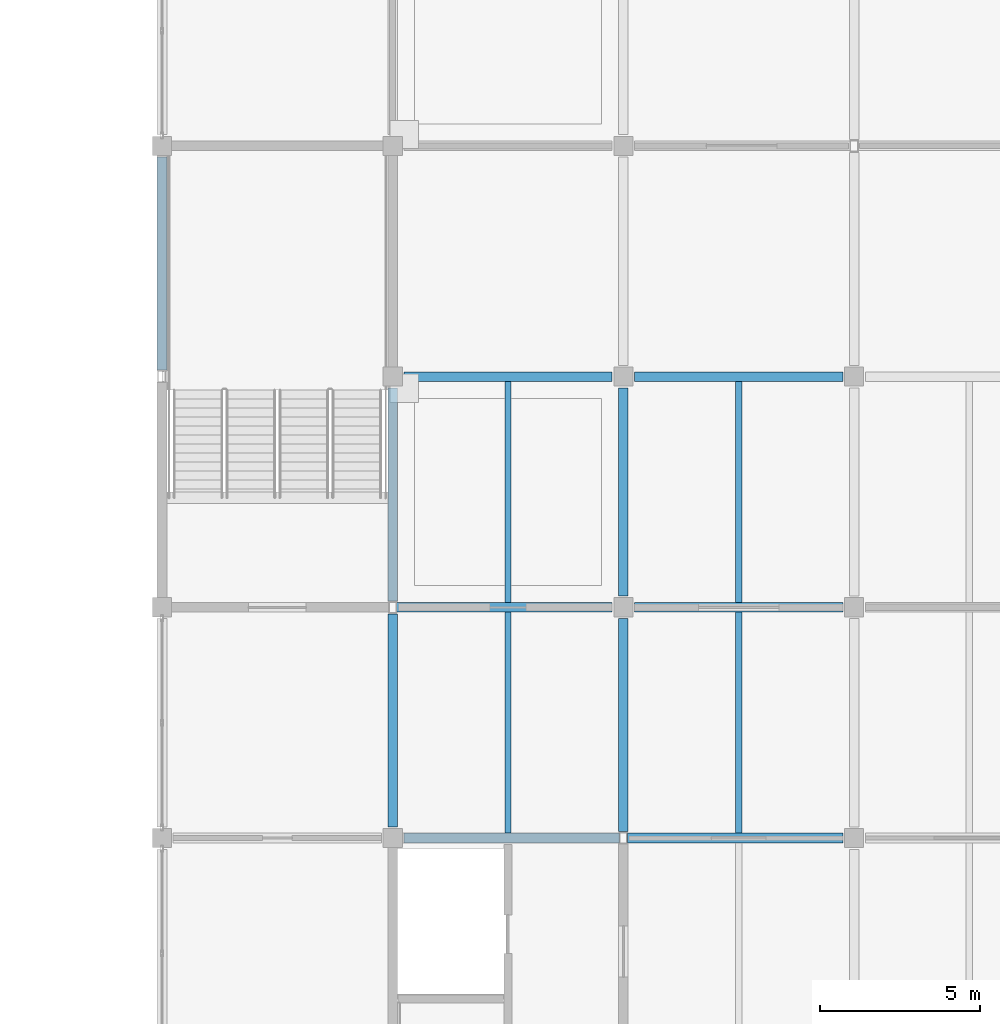
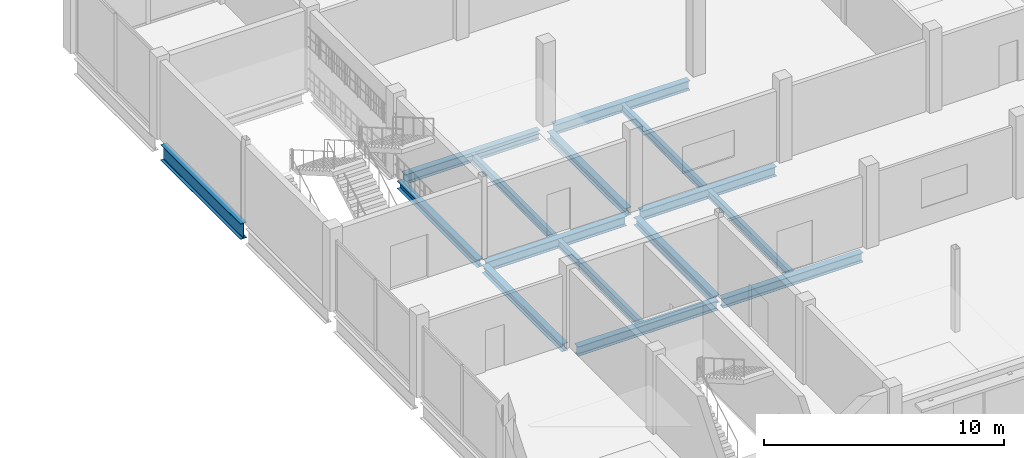
# One storey, part 12 of 51: 15 beams.
"""IFC4 building model written with IfcOpenShell, lengths in metres."""

import ifcopenshell
import ifcopenshell.guid

model = None  # the IFC model being written
_history = None  # IfcOwnerHistory: only IFC2X3 demands one
_inside = {}  # id of a spatial element -> (the spatial element, [elements in it])
_under = {}  # id of a project, library or spatial element -> (it, [spatial elements below it])
_declared = {}  # id of a project -> (the project, [libraries it declares])
_typed = {}  # id of a type object -> (the type object, [elements of that type])
_made_of = {}  # id of a material, layer set ... -> (it, [elements and type objects made of it])


def new_model(schema):
    """Start an empty IFC model of exactly this schema.

    Asked for "IFC4X3", IfcOpenShell would pick the latest addendum, in which some entities
    have other attributes; the version numbers below select the first issue.
    IFC2X3 requires an IfcOwnerHistory on every rooted entity: one is made here for all.
    """
    global model, _history
    if schema == "IFC4X3":
        model = ifcopenshell.file(schema_version=(4, 3, 0, 0))
    else:
        model = ifcopenshell.file(schema=schema)
    _inside.clear()
    _under.clear()
    _declared.clear()
    _typed.clear()
    _made_of.clear()
    _history = None
    if model.schema == "IFC2X3":
        org = make("IfcOrganization", Name="unknown")
        user = make(
            "IfcPersonAndOrganization",
            ThePerson=make("IfcPerson", FamilyName="unknown"),
            TheOrganization=org,
        )
        app = make(
            "IfcApplication",
            ApplicationDeveloper=org,
            Version="unknown",
            ApplicationFullName="unknown",
            ApplicationIdentifier="unknown",
        )
        _history = make(
            "IfcOwnerHistory",
            OwningUser=user,
            OwningApplication=app,
            ChangeAction="ADDED",
            CreationDate=0,
        )
    return model


def make(cls, **values):
    """One entity of the class cls with the attributes given. An attribute that is None is left unset."""
    return model.create_entity(
        cls, **{name: value for name, value in values.items() if value is not None}
    )


def rooted(cls, **values):
    """An entity with a GlobalId (a new one), such as an element, a storey or a relation."""
    return make(cls, GlobalId=ifcopenshell.guid.new(), OwnerHistory=_history, **values)


def si_unit(unit_type, name, prefix=None):
    """IfcSIUnit, for example si_unit("LENGTHUNIT", "METRE", prefix="MILLI")."""
    return make("IfcSIUnit", UnitType=unit_type, Prefix=prefix, Name=name)


def assignment(units):
    """IfcUnitAssignment: the units of a project."""
    return None if units is None else make("IfcUnitAssignment", Units=units)


def point(xyz):
    """IfcCartesianPoint."""
    return None if xyz is None else make("IfcCartesianPoint", Coordinates=xyz)


def direction(xyz):
    """IfcDirection."""
    return None if xyz is None else make("IfcDirection", DirectionRatios=xyz)


def frame(location, z_axis=None, x_axis=None):
    """IfcAxis2Placement3D, a coordinate frame: its origin and axes. An axis left out is left unset."""
    return make(
        "IfcAxis2Placement3D",
        Location=point(location),
        Axis=direction(z_axis),
        RefDirection=direction(x_axis),
    )


def frame_2d(location, x_axis=None):
    """IfcAxis2Placement2D, a coordinate frame in the plane: its origin and x axis."""
    return make(
        "IfcAxis2Placement2D", Location=point(location), RefDirection=direction(x_axis)
    )


def origin():
    """The frame at (0, 0, 0) with its axes left unset."""
    return frame((0.0, 0.0, 0.0))


def origin_2d():
    """The frame at (0, 0) in the plane with its x axis left unset."""
    return frame_2d((0.0, 0.0))


def place(relative_to, where):
    """IfcLocalPlacement: puts the frame where relative to a parent placement (None: the world)."""
    return make(
        "IfcLocalPlacement", PlacementRelTo=relative_to, RelativePlacement=where
    )


def context(
    kind, dimensions, precision=None, world=None, true_north=None, identifier=None
):
    """IfcGeometricRepresentationContext, for example the 3D "Model" context."""
    return make(
        "IfcGeometricRepresentationContext",
        ContextIdentifier=identifier,
        ContextType=kind,
        CoordinateSpaceDimension=dimensions,
        Precision=precision,
        WorldCoordinateSystem=world,
        TrueNorth=true_north,
    )


def subcontext(parent, identifier, kind, view, scale=None):
    """IfcGeometricRepresentationSubContext, for example "Body" below "Model"."""
    return make(
        "IfcGeometricRepresentationSubContext",
        ContextIdentifier=identifier,
        ContextType=kind,
        ParentContext=parent,
        TargetScale=scale,
        TargetView=view,
    )


def project(units=None, contexts=None):
    """IfcProject with its units and contexts."""
    return rooted(
        "IfcProject",
        Name="project",
        RepresentationContexts=contexts,
        UnitsInContext=assignment(units),
    )


def spatial(cls, under=None, at=None, **own):
    """A site, building, storey or space (cls), placed at a placement, below another one or the project."""
    s = rooted(cls, ObjectPlacement=at, **own)
    if under is not None:
        _under.setdefault(under.id(), (under, []))[1].append(s)
    return s


def profile(cls, at=None, kind="AREA", **sizes):
    """A parametric profile (cls). Its sizes go by their IFC names, for example OverallWidth=200.0."""
    return make(cls, ProfileType=kind, Position=at, **sizes)


def i_section(**sizes):
    """IfcIShapeProfileDef."""
    return profile("IfcIShapeProfileDef", **sizes)


def extrude(swept, where, along, depth):
    """IfcExtrudedAreaSolid: the profile swept, set in the frame where, extruded along a direction by depth."""
    return make(
        "IfcExtrudedAreaSolid",
        SweptArea=swept,
        Position=where,
        ExtrudedDirection=direction(along),
        Depth=depth,
    )


def shape(context_of_items, identifier, shape_type, items):
    """IfcShapeRepresentation: the items that make up one representation, for example the "Body"."""
    return make(
        "IfcShapeRepresentation",
        ContextOfItems=context_of_items,
        RepresentationIdentifier=identifier,
        RepresentationType=shape_type,
        Items=items,
    )


def material(Name=None, Category=None):
    """IfcMaterial."""
    return make("IfcMaterial", Name=Name, Category=Category)


def material_profile(
    of_material, cross_section, Name=None, Category=None, Priority=None
):
    """IfcMaterialProfile: a cross section and its material."""
    return make(
        "IfcMaterialProfile",
        Name=Name,
        Material=of_material,
        Profile=cross_section,
        Priority=Priority,
        Category=Category,
    )


def profile_set(profiles, Name=None, composite=None):
    """IfcMaterialProfileSet."""
    return make(
        "IfcMaterialProfileSet",
        Name=Name,
        MaterialProfiles=profiles,
        CompositeProfile=composite,
    )


def made_of(thing, what):
    """Note that an element or type object is made of a material, layer set ...; save() writes the relation."""
    if what is not None:
        _made_of.setdefault(what.id(), (what, []))[1].append(thing)
    return thing


def type_object(cls, material=None, **own):
    """A type object (cls), such as IfcWallType, which elements share."""
    return made_of(rooted(cls, **own), material)


def element(
    cls,
    number,
    at=None,
    inside=None,
    cuts=None,
    type_object=None,
    material=None,
    context=None,
    identifier="Body",
    shape_type=None,
    held_by="IfcProductDefinitionShape",
    body=None,
    shapes=None,
    **own,
):
    """One element of the class cls, such as IfcWall. Its Tag is "e" and its number.

    at: its placement. inside: the storey or other place that contains it. cuts: it is an
    opening in that element (IfcRelVoidsElement). A single representation is given by context,
    identifier, shape_type and body (its items); several are given by shapes. held_by: the class
    of the entity that holds the representations. save() writes the other relations.
    """
    e = rooted(cls, Tag="e%d" % number, ObjectPlacement=at, **own)
    if body is not None:
        shapes = [shape(context, identifier, shape_type, body)]
    if shapes is not None:
        e.Representation = make(held_by, Representations=shapes)
    if inside is not None:
        _inside.setdefault(inside.id(), (inside, []))[1].append(e)
    if cuts is not None:
        rooted(
            "IfcRelVoidsElement", RelatingBuildingElement=cuts, RelatedOpeningElement=e
        )
    if type_object is not None:
        _typed.setdefault(type_object.id(), (type_object, []))[1].append(e)
    return made_of(e, material)


def aggregate(whole, parts):
    """IfcRelAggregates: a whole, such as a stair, and the parts it consists of."""
    return rooted("IfcRelAggregates", RelatingObject=whole, RelatedObjects=parts)


def save(model, path):
    """Write the relations noted so far, then the file.

    IfcRelAggregates (storeys below a building ...), IfcRelContainedInSpatialStructure (elements
    in a storey), IfcRelDefinesByType, IfcRelAssociatesMaterial and IfcRelDeclares: one each for
    every whole, place, type object, material and project.
    """
    for whole, parts in _under.values():
        aggregate(whole, parts)
    for where, things in _inside.values():
        rooted(
            "IfcRelContainedInSpatialStructure",
            RelatedElements=things,
            RelatingStructure=where,
        )
    for kind, things in _typed.values():
        rooted("IfcRelDefinesByType", RelatedObjects=things, RelatingType=kind)
    for what, things in _made_of.values():
        rooted("IfcRelAssociatesMaterial", RelatedObjects=things, RelatingMaterial=what)
    for by, libraries in _declared.values():
        rooted("IfcRelDeclares", RelatingContext=by, RelatedDefinitions=libraries)
    model.write(path)


model = new_model("IFC4")

# Units and contexts
model_context = context("Model", 3, precision=1e-05, world=origin(), true_north=direction((0.0, 1.0)))
body_context = subcontext(model_context, "Body", "Model", "MODEL_VIEW")
ifc_project = project(units=[si_unit("LENGTHUNIT", "METRE"), si_unit("AREAUNIT", "SQUARE_METRE"), si_unit("VOLUMEUNIT", "CUBIC_METRE"), si_unit("PLANEANGLEUNIT", "RADIAN"), si_unit("MASSUNIT", "GRAM", prefix="KILO")], contexts=[model_context])

# Site, building, storey
site_placement = place(None, origin())
site = spatial("IfcSite", under=ifc_project, at=site_placement, CompositionType="ELEMENT")
building_placement = place(site_placement, origin())
building = spatial("IfcBuilding", under=site, at=building_placement, Name="Vesperath Aquatics Centre", CompositionType="ELEMENT")
storey_placement = place(building_placement, frame((0.0, 0.0, 15.0)))
storey = spatial("IfcBuildingStorey", under=building, at=storey_placement, Name="L03", CompositionType="ELEMENT", Elevation=15.0)

# Beams
ifc_material_1 = material(Name="Steel Q355D", Category="steel")
ifc_material_profile_1 = material_profile(ifc_material_1, i_section(OverallWidth=0.300048828125, OverallDepth=0.800048828125, WebThickness=0.013916015625, FlangeThickness=0.02587890625, FilletRadius=0.028076171875, at=origin_2d()), Name="HN 800x300x14x26")
ifc_profile_set_1 = profile_set([ifc_material_profile_1], Name="Steel Q355D")
beam_type_1 = type_object("IfcBeamType", Name="BM-G07", PredefinedType="BEAM", material=ifc_profile_set_1)
beam_1_placement = place(storey_placement, frame((115.199951171875, 29.0, -0.639892578125), z_axis=(0.0, 1.0, 0.0), x_axis=(-1.0, 0.0, 0.0)))
element("IfcBeam", 1, at=beam_1_placement, inside=storey, type_object=beam_type_1, Name="Floor Girder B07 L03 17 E-F", PredefinedType="BEAM", context=body_context, shape_type="SweptSolid", body=[
    extrude(i_section(OverallWidth=0.300048828125, OverallDepth=0.800048828125, WebThickness=0.013916015625, FlangeThickness=0.02587890625, FilletRadius=0.028076171875, at=origin_2d()), origin(), (0.0, 0.0, 1.0), 6.64990234375),
])
ifc_material_2 = material(Name="Steel Q355C", Category="steel")
ifc_material_profile_2 = material_profile(ifc_material_2, i_section(OverallWidth=0.300048828125, OverallDepth=0.488037109375, WebThickness=0.010986328125, FlangeThickness=0.01806640625, FilletRadius=0.02587890625, at=origin_2d()), Name="HM 488x300x11x18")
ifc_profile_set_2 = profile_set([ifc_material_profile_2], Name="Steel Q355C")
beam_type_2 = type_object("IfcBeamType", Name="BM-G10", PredefinedType="BEAM", material=ifc_profile_set_2)
for number, where, z_axis, x_axis, name in (
    (2, (122.75, 14.39990234375, -0.48388671875), (1.0, 0.0, 0.0), (0.0, 1.0, 0.0), "Floor Girder B10 L03 C 18-19"),
    (3, (122.52490234375, 21.60009765625, -0.48388671875), (1.0, 0.0, 0.0), (0.0, 1.0, 0.0), "Floor Girder B10 L03 D 18-19"),
):
    element("IfcBeam", number, at=place(storey_placement, frame(where, z_axis=z_axis, x_axis=x_axis)), inside=storey, type_object=beam_type_2, Name=name, PredefinedType="BEAM", context=body_context, shape_type="SweptSolid", body=[
        extrude(i_section(OverallWidth=0.300048828125, OverallDepth=0.488037109375, WebThickness=0.010986328125, FlangeThickness=0.01806640625, FilletRadius=0.02587890625, at=origin_2d()), origin(), (0.0, 0.0, 1.0), 6.72509765625),
    ])
beam_2_placement = place(storey_placement, frame((122.75, 28.800048828125, -0.48388671875), z_axis=(1.0, 0.0, 0.0), x_axis=(0.0, 1.0, 0.0)))
element("IfcBeam", 4, at=beam_2_placement, inside=storey, type_object=beam_type_2, Name="Floor Girder B10 L03 E 18-19", PredefinedType="BEAM", context=body_context, shape_type="SweptSolid", body=[
    extrude(i_section(OverallWidth=0.300048828125, OverallDepth=0.488037109375, WebThickness=0.010986328125, FlangeThickness=0.01806640625, FilletRadius=0.02587890625, at=origin_2d()), origin(), (0.0, 0.0, 1.0), 6.5),
])
beam_3_placement = place(storey_placement, frame((129.72509765625, 14.39990234375, -0.48388671875), z_axis=(1.0, 0.0, 0.0), x_axis=(0.0, 1.0, 0.0)))
element("IfcBeam", 5, at=beam_3_placement, inside=storey, type_object=beam_type_2, Name="Floor Girder B10 L03 C 19-20", PredefinedType="BEAM", context=body_context, shape_type="SweptSolid", body=[
    extrude(i_section(OverallWidth=0.300048828125, OverallDepth=0.488037109375, WebThickness=0.010986328125, FlangeThickness=0.01806640625, FilletRadius=0.02587890625, at=origin_2d()), origin(), (0.0, 0.0, 1.0), 6.724853515625),
])
for number, where, z_axis, x_axis, name in (
    (6, (129.949951171875, 21.60009765625, -0.48388671875), (1.0, 0.0, 0.0), (0.0, 1.0, 0.0), "Floor Girder B10 L03 D 19-20"),
    (7, (129.949951171875, 28.800048828125, -0.48388671875), (1.0, 0.0, 0.0), (0.0, 1.0, 0.0), "Floor Girder B10 L03 E 19-20"),
):
    element("IfcBeam", number, at=place(storey_placement, frame(where, z_axis=z_axis, x_axis=x_axis)), inside=storey, type_object=beam_type_2, Name=name, PredefinedType="BEAM", context=body_context, shape_type="SweptSolid", body=[
        extrude(i_section(OverallWidth=0.300048828125, OverallDepth=0.488037109375, WebThickness=0.010986328125, FlangeThickness=0.01806640625, FilletRadius=0.02587890625, at=origin_2d()), origin(), (0.0, 0.0, 1.0), 6.5),
    ])
ifc_material_profile_3 = material_profile(ifc_material_2, i_section(OverallWidth=0.300048828125, OverallDepth=0.389892578125, WebThickness=0.010009765625, FlangeThickness=0.01611328125, FilletRadius=0.02197265625, at=origin_2d()), Name="HM 390x300x10x16")
ifc_profile_set_3 = profile_set([ifc_material_profile_3], Name="Steel Q355C")
beam_type_3 = type_object("IfcBeamType", Name="BM-G11", PredefinedType="BEAM", material=ifc_profile_set_3)
for number, where, z_axis, x_axis, name in (
    (8, (122.39990234375, 14.75, -0.43505859375), (0.0, 1.0, 0.0), (-1.0, 0.0, 0.0), "Floor Girder B11 L03 18 C-D"),
    (9, (122.39990234375, 21.800048828125, -0.43505859375), (0.0, 1.0, 0.0), (-1.0, 0.0, 0.0), "Floor Girder B11 L03 18 D-E"),
    (10, (129.60009765625, 14.60009765625, -0.43505859375), (0.0, 1.0, 0.0), (-1.0, 0.0, 0.0), "Floor Girder B11 L03 19 C-D"),
):
    element("IfcBeam", number, at=place(storey_placement, frame(where, z_axis=z_axis, x_axis=x_axis)), inside=storey, type_object=beam_type_3, Name=name, PredefinedType="BEAM", context=body_context, shape_type="SweptSolid", body=[
        extrude(i_section(OverallWidth=0.300048828125, OverallDepth=0.389892578125, WebThickness=0.010009765625, FlangeThickness=0.01611328125, FilletRadius=0.02197265625, at=origin_2d()), origin(), (0.0, 0.0, 1.0), 6.64990234375),
    ])
beam_4_placement = place(storey_placement, frame((129.60009765625, 21.949951171875, -0.43505859375), z_axis=(0.0, 1.0, 0.0), x_axis=(-1.0, 0.0, 0.0)))
element("IfcBeam", 11, at=beam_4_placement, inside=storey, type_object=beam_type_3, Name="Floor Girder B11 L03 19 D-E", PredefinedType="BEAM", context=body_context, shape_type="SweptSolid", body=[
    extrude(i_section(OverallWidth=0.300048828125, OverallDepth=0.389892578125, WebThickness=0.010009765625, FlangeThickness=0.01611328125, FilletRadius=0.02197265625, at=origin_2d()), origin(), (0.0, 0.0, 1.0), 6.5),
])
ifc_material_profile_4 = material_profile(ifc_material_2, i_section(OverallWidth=0.199951171875, OverallDepth=0.39990234375, WebThickness=0.008056640625, FlangeThickness=0.012939453125, FilletRadius=0.01611328125, at=origin_2d()), Name="HN 400x200x8x13")
ifc_profile_set_4 = profile_set([ifc_material_profile_4], Name="Steel Q355C")
beam_type_4 = type_object("IfcBeamType", Name="BM-J04", PredefinedType="JOIST", material=ifc_profile_set_4)
for number, where, z_axis, x_axis, name in (
    (12, (126.0, 14.550048828125, -0.43994140625), (0.0, 1.0, 0.0), (-1.0, 0.0, 0.0), "Secondary Floor Joist J04 L03 18/C"),
    (13, (126.0, 21.75, -0.43994140625), (0.0, 1.0, 0.0), (-1.0, 0.0, 0.0), "Secondary Floor Joist J04 L03 18/D"),
    (14, (133.199951171875, 14.550048828125, -0.43994140625), (0.0, 1.0, 0.0), (-1.0, 0.0, 0.0), "Secondary Floor Joist J04 L03 19/C"),
    (15, (133.199951171875, 21.75, -0.43994140625), (0.0, 1.0, 0.0), (-1.0, 0.0, 0.0), "Secondary Floor Joist J04 L03 19/D"),
):
    element("IfcBeam", number, at=place(storey_placement, frame(where, z_axis=z_axis, x_axis=x_axis)), inside=storey, type_object=beam_type_4, Name=name, PredefinedType="JOIST", context=body_context, shape_type="SweptSolid", body=[
        extrude(i_section(OverallWidth=0.199951171875, OverallDepth=0.39990234375, WebThickness=0.008056640625, FlangeThickness=0.012939453125, FilletRadius=0.01611328125, at=origin_2d()), origin(), (0.0, 0.0, 1.0), 6.89990234375),
    ])

save(model, "model.ifc")
